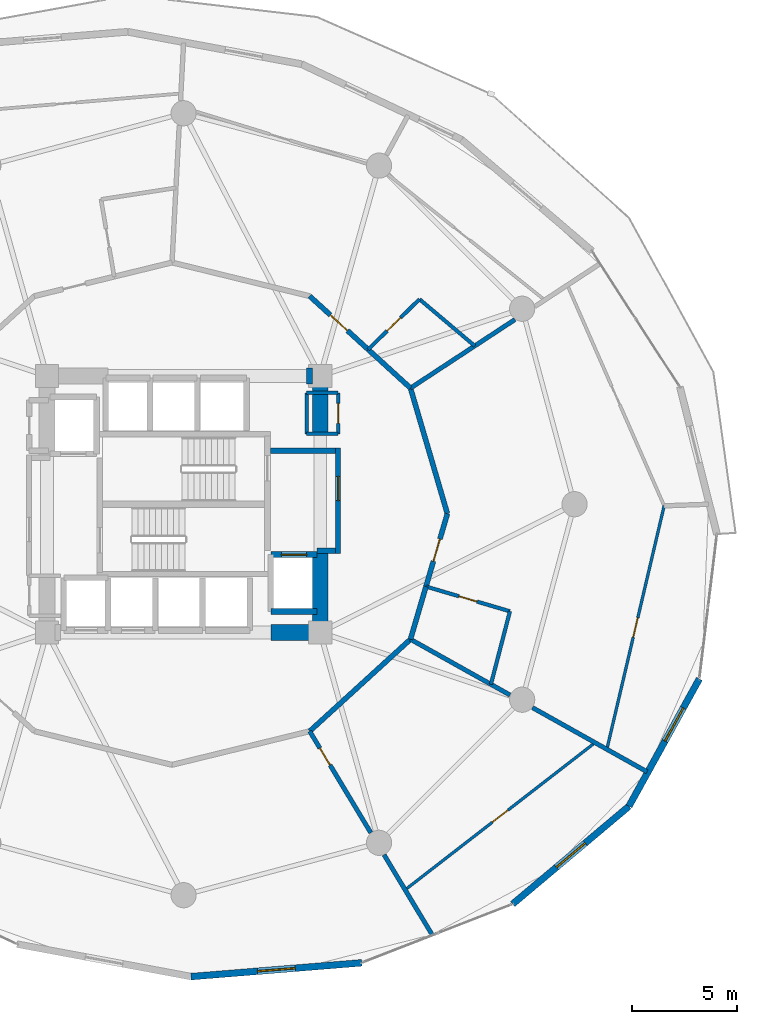
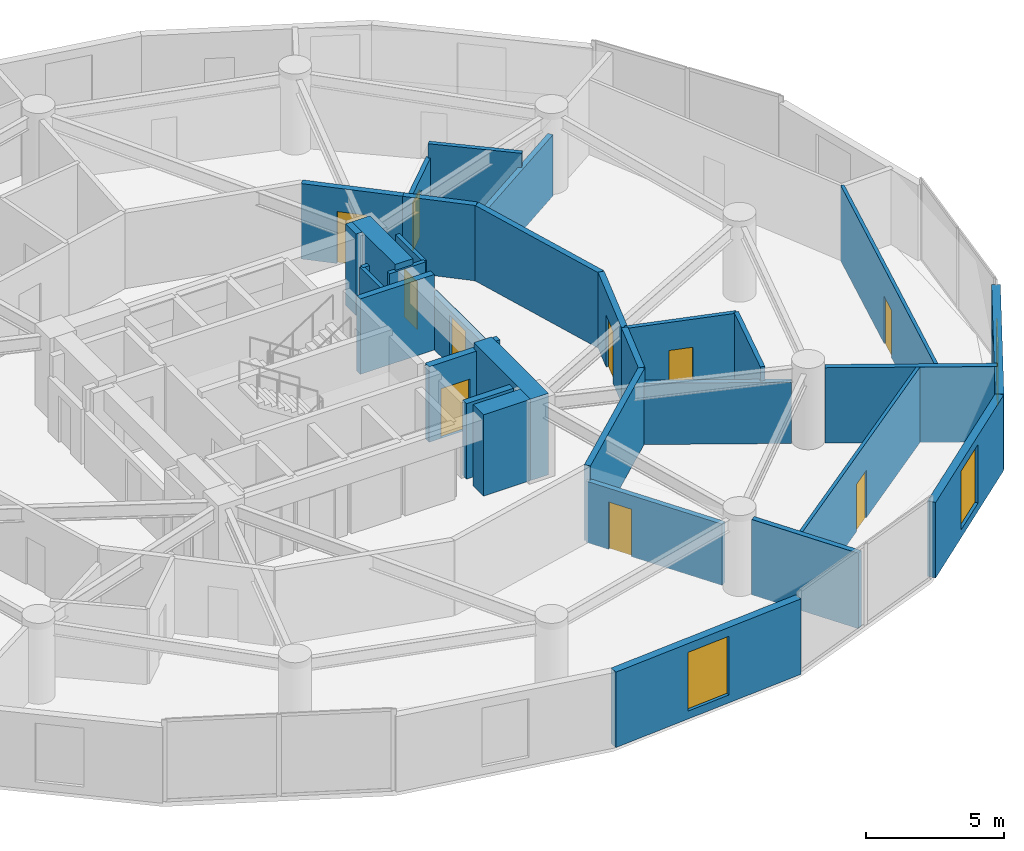
# One storey, part 22 of 26: 33 walls, 10 doors, 3 windows, 13 openings.
"""IFC4 building model written with IfcOpenShell, lengths in metres."""

import ifcopenshell
import ifcopenshell.guid

model = None  # the IFC model being written
_history = None  # IfcOwnerHistory: only IFC2X3 demands one
_inside = {}  # id of a spatial element -> (the spatial element, [elements in it])
_under = {}  # id of a project, library or spatial element -> (it, [spatial elements below it])
_declared = {}  # id of a project -> (the project, [libraries it declares])
_typed = {}  # id of a type object -> (the type object, [elements of that type])
_made_of = {}  # id of a material, layer set ... -> (it, [elements and type objects made of it])


def new_model(schema):
    """Start an empty IFC model of exactly this schema.

    Asked for "IFC4X3", IfcOpenShell would pick the latest addendum, in which some entities
    have other attributes; the version numbers below select the first issue.
    IFC2X3 requires an IfcOwnerHistory on every rooted entity: one is made here for all.
    """
    global model, _history
    if schema == "IFC4X3":
        model = ifcopenshell.file(schema_version=(4, 3, 0, 0))
    else:
        model = ifcopenshell.file(schema=schema)
    _inside.clear()
    _under.clear()
    _declared.clear()
    _typed.clear()
    _made_of.clear()
    _history = None
    if model.schema == "IFC2X3":
        org = make("IfcOrganization", Name="unknown")
        user = make(
            "IfcPersonAndOrganization",
            ThePerson=make("IfcPerson", FamilyName="unknown"),
            TheOrganization=org,
        )
        app = make(
            "IfcApplication",
            ApplicationDeveloper=org,
            Version="unknown",
            ApplicationFullName="unknown",
            ApplicationIdentifier="unknown",
        )
        _history = make(
            "IfcOwnerHistory",
            OwningUser=user,
            OwningApplication=app,
            ChangeAction="ADDED",
            CreationDate=0,
        )
    return model


def make(cls, **values):
    """One entity of the class cls with the attributes given. An attribute that is None is left unset."""
    return model.create_entity(
        cls, **{name: value for name, value in values.items() if value is not None}
    )


def rooted(cls, **values):
    """An entity with a GlobalId (a new one), such as an element, a storey or a relation."""
    return make(cls, GlobalId=ifcopenshell.guid.new(), OwnerHistory=_history, **values)


def si_unit(unit_type, name, prefix=None):
    """IfcSIUnit, for example si_unit("LENGTHUNIT", "METRE", prefix="MILLI")."""
    return make("IfcSIUnit", UnitType=unit_type, Prefix=prefix, Name=name)


def assignment(units):
    """IfcUnitAssignment: the units of a project."""
    return None if units is None else make("IfcUnitAssignment", Units=units)


def point(xyz):
    """IfcCartesianPoint."""
    return None if xyz is None else make("IfcCartesianPoint", Coordinates=xyz)


def direction(xyz):
    """IfcDirection."""
    return None if xyz is None else make("IfcDirection", DirectionRatios=xyz)


def frame(location, z_axis=None, x_axis=None):
    """IfcAxis2Placement3D, a coordinate frame: its origin and axes. An axis left out is left unset."""
    return make(
        "IfcAxis2Placement3D",
        Location=point(location),
        Axis=direction(z_axis),
        RefDirection=direction(x_axis),
    )


def frame_2d(location, x_axis=None):
    """IfcAxis2Placement2D, a coordinate frame in the plane: its origin and x axis."""
    return make(
        "IfcAxis2Placement2D", Location=point(location), RefDirection=direction(x_axis)
    )


def origin():
    """The frame at (0, 0, 0) with its axes left unset."""
    return frame((0.0, 0.0, 0.0))


def place(relative_to, where):
    """IfcLocalPlacement: puts the frame where relative to a parent placement (None: the world)."""
    return make(
        "IfcLocalPlacement", PlacementRelTo=relative_to, RelativePlacement=where
    )


def context(
    kind, dimensions, precision=None, world=None, true_north=None, identifier=None
):
    """IfcGeometricRepresentationContext, for example the 3D "Model" context."""
    return make(
        "IfcGeometricRepresentationContext",
        ContextIdentifier=identifier,
        ContextType=kind,
        CoordinateSpaceDimension=dimensions,
        Precision=precision,
        WorldCoordinateSystem=world,
        TrueNorth=true_north,
    )


def subcontext(parent, identifier, kind, view, scale=None):
    """IfcGeometricRepresentationSubContext, for example "Body" below "Model"."""
    return make(
        "IfcGeometricRepresentationSubContext",
        ContextIdentifier=identifier,
        ContextType=kind,
        ParentContext=parent,
        TargetScale=scale,
        TargetView=view,
    )


def project(units=None, contexts=None):
    """IfcProject with its units and contexts."""
    return rooted(
        "IfcProject",
        Name="project",
        RepresentationContexts=contexts,
        UnitsInContext=assignment(units),
    )


def spatial(cls, under=None, at=None, **own):
    """A site, building, storey or space (cls), placed at a placement, below another one or the project."""
    s = rooted(cls, ObjectPlacement=at, **own)
    if under is not None:
        _under.setdefault(under.id(), (under, []))[1].append(s)
    return s


def profile(cls, at=None, kind="AREA", **sizes):
    """A parametric profile (cls). Its sizes go by their IFC names, for example OverallWidth=200.0."""
    return make(cls, ProfileType=kind, Position=at, **sizes)


def rectangle(**sizes):
    """IfcRectangleProfileDef."""
    return profile("IfcRectangleProfileDef", **sizes)


def extrude(swept, where, along, depth):
    """IfcExtrudedAreaSolid: the profile swept, set in the frame where, extruded along a direction by depth."""
    return make(
        "IfcExtrudedAreaSolid",
        SweptArea=swept,
        Position=where,
        ExtrudedDirection=direction(along),
        Depth=depth,
    )


def shape(context_of_items, identifier, shape_type, items):
    """IfcShapeRepresentation: the items that make up one representation, for example the "Body"."""
    return make(
        "IfcShapeRepresentation",
        ContextOfItems=context_of_items,
        RepresentationIdentifier=identifier,
        RepresentationType=shape_type,
        Items=items,
    )


def material(Name=None, Category=None):
    """IfcMaterial."""
    return make("IfcMaterial", Name=Name, Category=Category)


def layer(
    of_material, thickness, ventilated=None, Name=None, Category=None, Priority=None
):
    """IfcMaterialLayer: one layer of a wall or slab, of a material (None: an air gap)."""
    return make(
        "IfcMaterialLayer",
        Material=of_material,
        LayerThickness=thickness,
        IsVentilated=ventilated,
        Name=Name,
        Category=Category,
        Priority=Priority,
    )


def layer_set(layers, Name=None):
    """IfcMaterialLayerSet."""
    return make("IfcMaterialLayerSet", MaterialLayers=layers, LayerSetName=Name)


def made_of(thing, what):
    """Note that an element or type object is made of a material, layer set ...; save() writes the relation."""
    if what is not None:
        _made_of.setdefault(what.id(), (what, []))[1].append(thing)
    return thing


def type_object(cls, material=None, **own):
    """A type object (cls), such as IfcWallType, which elements share."""
    return made_of(rooted(cls, **own), material)


def element(
    cls,
    number,
    at=None,
    inside=None,
    cuts=None,
    type_object=None,
    material=None,
    context=None,
    identifier="Body",
    shape_type=None,
    held_by="IfcProductDefinitionShape",
    body=None,
    shapes=None,
    **own,
):
    """One element of the class cls, such as IfcWall. Its Tag is "e" and its number.

    at: its placement. inside: the storey or other place that contains it. cuts: it is an
    opening in that element (IfcRelVoidsElement). A single representation is given by context,
    identifier, shape_type and body (its items); several are given by shapes. held_by: the class
    of the entity that holds the representations. save() writes the other relations.
    """
    e = rooted(cls, Tag="e%d" % number, ObjectPlacement=at, **own)
    if body is not None:
        shapes = [shape(context, identifier, shape_type, body)]
    if shapes is not None:
        e.Representation = make(held_by, Representations=shapes)
    if inside is not None:
        _inside.setdefault(inside.id(), (inside, []))[1].append(e)
    if cuts is not None:
        rooted(
            "IfcRelVoidsElement", RelatingBuildingElement=cuts, RelatedOpeningElement=e
        )
    if type_object is not None:
        _typed.setdefault(type_object.id(), (type_object, []))[1].append(e)
    return made_of(e, material)


def fill(opening, filler):
    """IfcRelFillsElement: the door or window that sits in an opening."""
    return rooted(
        "IfcRelFillsElement",
        RelatingOpeningElement=opening,
        RelatedBuildingElement=filler,
    )


def aggregate(whole, parts):
    """IfcRelAggregates: a whole, such as a stair, and the parts it consists of."""
    return rooted("IfcRelAggregates", RelatingObject=whole, RelatedObjects=parts)


def save(model, path):
    """Write the relations noted so far, then the file.

    IfcRelAggregates (storeys below a building ...), IfcRelContainedInSpatialStructure (elements
    in a storey), IfcRelDefinesByType, IfcRelAssociatesMaterial and IfcRelDeclares: one each for
    every whole, place, type object, material and project.
    """
    for whole, parts in _under.values():
        aggregate(whole, parts)
    for where, things in _inside.values():
        rooted(
            "IfcRelContainedInSpatialStructure",
            RelatedElements=things,
            RelatingStructure=where,
        )
    for kind, things in _typed.values():
        rooted("IfcRelDefinesByType", RelatedObjects=things, RelatingType=kind)
    for what, things in _made_of.values():
        rooted("IfcRelAssociatesMaterial", RelatedObjects=things, RelatingMaterial=what)
    for by, libraries in _declared.values():
        rooted("IfcRelDeclares", RelatingContext=by, RelatedDefinitions=libraries)
    model.write(path)


model = new_model("IFC4")

# Units and contexts
model_context = context("Model", 3, precision=1e-05, world=origin(), true_north=direction((0.0, 1.0)))
body_context = subcontext(model_context, "Body", "Model", "MODEL_VIEW")
ifc_project = project(units=[si_unit("LENGTHUNIT", "METRE"), si_unit("AREAUNIT", "SQUARE_METRE"), si_unit("VOLUMEUNIT", "CUBIC_METRE"), si_unit("PLANEANGLEUNIT", "RADIAN"), si_unit("MASSUNIT", "GRAM", prefix="KILO")], contexts=[model_context])

# Site, building, storey
site_placement = place(None, origin())
site = spatial("IfcSite", under=ifc_project, at=site_placement, CompositionType="ELEMENT")
building_placement = place(site_placement, origin())
building = spatial("IfcBuilding", under=site, at=building_placement, Name="Solvirekh Grand Hotel", CompositionType="ELEMENT")
storey_placement = place(building_placement, frame((0.0, 0.0, 68.0)))
storey = spatial("IfcBuildingStorey", under=building, at=storey_placement, Name="L16", CompositionType="ELEMENT", Elevation=68.0)

# Wall
ifc_material_1 = material(Name="Concrete C40/50", Category="concrete")
ifc_layer_1 = layer(ifc_material_1, 0.280029296875)
ifc_layer_set_1 = layer_set([ifc_layer_1], Name="Concrete C40/50")
wall_type_1 = type_object("IfcWallType", Name="CoreShaftWall_RC280", PredefinedType="SOLIDWALL", material=ifc_layer_set_1)
wall_1_placement = place(storey_placement, frame((4.14990234375, -5.10009765625, 0.0), z_axis=(0.0, 0.0, 1.0), x_axis=(1.0, 0.0, 0.0)))
element("IfcWall", 1, at=wall_1_placement, inside=storey, type_object=wall_type_1, Name="L16 FL-2 hoistway S wall", PredefinedType="SOLIDWALL", context=body_context, shape_type="SweptSolid", body=[
    extrude(rectangle(XDim=2.2001953125, YDim=0.280029296875, at=frame_2d((1.10009765625, 0.0))), origin(), (0.0, 0.0, 1.0), 3.340087890625),
])

# Wall, opening, door
wall_2_placement = place(storey_placement, frame((6.35009765625, -2.39990234375, 0.0), z_axis=(0.0, 0.0, 1.0), x_axis=(-1.0, 0.0, 0.0)))
wall_2 = element("IfcWall", 2, at=wall_2_placement, inside=storey, type_object=wall_type_1, Name="L16 FL-2 hoistway N wall", PredefinedType="SOLIDWALL", context=body_context, shape_type="SweptSolid", body=[
    extrude(rectangle(XDim=2.2001953125, YDim=0.280029296875, at=frame_2d((1.10009765625, 0.0))), origin(), (0.0, 0.0, 1.0), 3.340087890625),
])
opening_1_placement = place(wall_2_placement, frame((0.5, 0.0, 0.0)))
opening_1 = element("IfcOpeningElement", 3, at=opening_1_placement, cuts=wall_2, Name="Opening LD02", PredefinedType="OPENING", context=body_context, shape_type="SweptSolid", body=[
    extrude(rectangle(XDim=1.199951171875, YDim=2.199951171875, at=frame_2d((0.60009765625, 1.10009765625))), frame((0.0, 0.14990234375, 0.0), z_axis=(0.0, -1.0, 0.0), x_axis=(1.0, 0.0, 0.0)), (0.0, 0.0, 1.0), 0.300048828125),
])
ifc_material_2 = material(Name="Fire-Rated Steel Door Assembly", Category="steel")
door_type_1 = type_object("IfcDoorType", Name="Door_LiftFF_1200X2200", OperationType="SLIDING_TO_LEFT", PredefinedType="DOOR", material=ifc_material_2)
door_1_placement = place(opening_1_placement, origin())
door_1 = element("IfcDoor", 4, at=door_1_placement, inside=storey, type_object=door_type_1, Name="L16 FL-2 sliding lift landing door", OperationType="SLIDING_TO_LEFT", OverallHeight=2.199951171875, OverallWidth=1.199951171875, PredefinedType="DOOR", context=body_context, shape_type="SweptSolid", body=[
    extrude(rectangle(XDim=1.199951171875, YDim=2.199951171875, at=frame_2d((0.60009765625, 1.10009765625))), frame((0.0, 0.02490234375, 0.0), z_axis=(0.0, -1.0, 0.0), x_axis=(1.0, 0.0, 0.0)), (0.0, 0.0, 1.0), 0.050048828125),
])
fill(opening_1, door_1)

# Walls
ifc_material_3 = material(Name="Concrete C60/75", Category="concrete")
ifc_layer_2 = layer(ifc_material_3, 0.75)
ifc_layer_set_2 = layer_set([ifc_layer_2], Name="Concrete C60/75")
wall_type_2 = type_object("IfcWallType", Name="CoreWall_RC750", PredefinedType="SHEAR", material=ifc_layer_set_2)
wall_3_placement = place(storey_placement, frame((4.14990234375, -6.10009765625, 0.0), z_axis=(0.0, 0.0, 1.0), x_axis=(1.0, 0.0, 0.0)))
element("IfcWall", 5, at=wall_3_placement, inside=storey, type_object=wall_type_2, Name="L16 core corner shear wall SE-S", PredefinedType="SHEAR", context=body_context, shape_type="SweptSolid", body=[
    extrude(rectangle(XDim=1.97509765625, YDim=0.75, at=frame_2d((0.987548828125, 0.0))), origin(), (0.0, 0.0, 1.0), 3.60009765625),
])
wall_4_placement = place(storey_placement, frame((5.85009765625, 6.10009765625, 0.0), z_axis=(0.0, 0.0, 1.0), x_axis=(1.0, 0.0, 0.0)))
element("IfcWall", 6, at=wall_4_placement, inside=storey, type_object=wall_type_2, Name="L16 core corner shear wall NE-N", PredefinedType="SHEAR", context=body_context, shape_type="SweptSolid", body=[
    extrude(rectangle(XDim=0.27490234375, YDim=0.75, at=frame_2d((0.137451171875, 0.0))), origin(), (0.0, 0.0, 1.0), 3.60009765625),
])
wall_5_placement = place(storey_placement, frame((6.5, -6.47509765625, 0.0), z_axis=(0.0, 0.0, 1.0), x_axis=(0.0, 1.0, 0.0)))
element("IfcWall", 7, at=wall_5_placement, inside=storey, type_object=wall_type_2, Name="L16 core corner shear wall ES-E", PredefinedType="SHEAR", context=body_context, shape_type="SweptSolid", body=[
    extrude(rectangle(XDim=4.125, YDim=0.75, at=frame_2d((2.0625, 0.0))), origin(), (0.0, 0.0, 1.0), 3.60009765625),
])
wall_6_placement = place(storey_placement, frame((6.5, 3.35009765625, 0.0), z_axis=(0.0, 0.0, 1.0), x_axis=(0.0, 1.0, 0.0)))
element("IfcWall", 8, at=wall_6_placement, inside=storey, type_object=wall_type_2, Name="L16 core corner shear wall EN-E", PredefinedType="SHEAR", context=body_context, shape_type="SweptSolid", body=[
    extrude(rectangle(XDim=3.125, YDim=0.75, at=frame_2d((1.5625, 0.0))), origin(), (0.0, 0.0, 1.0), 3.60009765625),
])

# Wall, opening, window
ifc_material_4 = material(Name="Precast concrete C45/55", Category="concrete")
ifc_layer_3 = layer(ifc_material_4, 0.320068359375)
ifc_layer_set_3 = layer_set([ifc_layer_3], Name="Precast concrete C45/55")
wall_type_3 = type_object("IfcWallType", Name="ExtLobbyWall_RC320", PredefinedType="SOLIDWALL", material=ifc_layer_set_3)
wall_7_placement = place(storey_placement, frame((8.47412109375, -21.818115234375, 0.0), z_axis=(0.0, 0.0, 1.0), x_axis=(-0.996745267641, -0.08061557812, 0.0)))
wall_7 = element("IfcWall", 9, at=wall_7_placement, inside=storey, type_object=wall_type_3, Name="L16 exterior structural wall chord 17", PredefinedType="SOLIDWALL", context=body_context, shape_type="SweptSolid", body=[
    extrude(rectangle(XDim=8.149658203125, YDim=0.320068359375, at=frame_2d((4.07470703125, 0.0))), origin(), (0.0, 0.0, 1.0), 3.340087890625),
])
opening_2_placement = place(wall_7_placement, frame((3.175048828125, 0.0, 0.35009765625)))
opening_2 = element("IfcOpeningElement", 10, at=opening_2_placement, cuts=wall_7, Name="Opening W02", PredefinedType="OPENING", context=body_context, shape_type="SweptSolid", body=[
    extrude(rectangle(XDim=1.800048828125, YDim=2.60009765625, at=frame_2d((0.89990234375, 1.300048828125))), frame((0.0, 0.169921875, 0.0), z_axis=(0.0, -1.0, 0.0), x_axis=(1.0, 0.0, 0.0)), (0.0, 0.0, 1.0), 0.340087890625),
])
ifc_material_5 = material(Name="Low-E Tinted Bronze Laminated Glass", Category="aluminium")
window_type = type_object("IfcWindowType", Name="Win_LobbyExt_1800X2600", PartitioningType="SINGLE_PANEL", PredefinedType="WINDOW", material=ifc_material_5)
window_1_placement = place(opening_2_placement, origin())
window_1 = element("IfcWindow", 11, at=window_1_placement, inside=storey, type_object=window_type, Name="L16 panoramic bronze-framed window 17", OverallHeight=2.60009765625, OverallWidth=1.800048828125, PartitioningType="SINGLE_PANEL", PredefinedType="WINDOW", context=body_context, shape_type="SweptSolid", body=[
    extrude(rectangle(XDim=1.800048828125, YDim=2.60009765625, at=frame_2d((0.89990234375, 1.300048828125))), frame((0.0, 0.030029296875, 0.0), z_axis=(0.0, -1.0, 0.0), x_axis=(1.0, 0.0, 0.0)), (0.0, 0.0, 1.0), 0.06005859375),
])
fill(opening_2, window_1)

wall_8_placement = place(storey_placement, frame((21.19091796875, -14.3701171875, 0.0), z_axis=(0.0, 0.0, 1.0), x_axis=(-0.765388915414, -0.643568029164, 0.0)))
wall_8 = element("IfcWall", 12, at=wall_8_placement, inside=storey, type_object=wall_type_3, Name="L16 exterior structural wall chord 19", PredefinedType="SOLIDWALL", context=body_context, shape_type="SweptSolid", body=[
    extrude(rectangle(XDim=7.232666015625, YDim=0.320068359375, at=frame_2d((3.6162109375, 0.0))), origin(), (0.0, 0.0, 1.0), 3.340087890625),
])
opening_3_placement = place(wall_8_placement, frame((2.717041015625, 0.0, 0.35009765625)))
opening_3 = element("IfcOpeningElement", 13, at=opening_3_placement, cuts=wall_8, Name="Opening W02", PredefinedType="OPENING", context=body_context, shape_type="SweptSolid", body=[
    extrude(rectangle(XDim=1.800048828125, YDim=2.60009765625, at=frame_2d((0.89990234375, 1.300048828125))), frame((0.0, 0.169921875, 0.0), z_axis=(0.0, -1.0, 0.0), x_axis=(1.0, 0.0, 0.0)), (0.0, 0.0, 1.0), 0.340087890625),
])
window_2_placement = place(opening_3_placement, origin())
window_2 = element("IfcWindow", 14, at=window_2_placement, inside=storey, type_object=window_type, Name="L16 panoramic bronze-framed window 19", OverallHeight=2.60009765625, OverallWidth=1.800048828125, PartitioningType="SINGLE_PANEL", PredefinedType="WINDOW", context=body_context, shape_type="SweptSolid", body=[
    extrude(rectangle(XDim=1.800048828125, YDim=2.60009765625, at=frame_2d((0.89990234375, 1.300048828125))), frame((0.0, 0.030029296875, 0.0), z_axis=(0.0, -1.0, 0.0), x_axis=(1.0, 0.0, 0.0)), (0.0, 0.0, 1.0), 0.06005859375),
])
fill(opening_3, window_2)

wall_9_placement = place(storey_placement, frame((24.5400390625, -8.30810546875, 0.0), z_axis=(0.0, 0.0, 1.0), x_axis=(-0.483582354317, -0.875298867013, 0.0)))
wall_9 = element("IfcWall", 15, at=wall_9_placement, inside=storey, type_object=wall_type_3, Name="L16 exterior structural wall chord 20", PredefinedType="SOLIDWALL", context=body_context, shape_type="SweptSolid", body=[
    extrude(rectangle(XDim=6.925537109375, YDim=0.320068359375, at=frame_2d((3.462890625, 0.0))), origin(), (0.0, 0.0, 1.0), 3.340087890625),
])
opening_4_placement = place(wall_9_placement, frame((1.587890625, 0.0, 0.35009765625)))
opening_4 = element("IfcOpeningElement", 16, at=opening_4_placement, cuts=wall_9, Name="Opening W02", PredefinedType="OPENING", context=body_context, shape_type="SweptSolid", body=[
    extrude(rectangle(XDim=1.800048828125, YDim=2.60009765625, at=frame_2d((0.89990234375, 1.300048828125))), frame((0.0, 0.169921875, 0.0), z_axis=(0.0, -1.0, 0.0), x_axis=(1.0, 0.0, 0.0)), (0.0, 0.0, 1.0), 0.340087890625),
])
window_3_placement = place(opening_4_placement, origin())
window_3 = element("IfcWindow", 17, at=window_3_placement, inside=storey, type_object=window_type, Name="L16 panoramic bronze-framed window 20", OverallHeight=2.60009765625, OverallWidth=1.800048828125, PartitioningType="SINGLE_PANEL", PredefinedType="WINDOW", context=body_context, shape_type="SweptSolid", body=[
    extrude(rectangle(XDim=1.800048828125, YDim=2.60009765625, at=frame_2d((0.89990234375, 1.300048828125))), frame((0.0, 0.030029296875, 0.0), z_axis=(0.0, -1.0, 0.0), x_axis=(1.0, 0.0, 0.0)), (0.0, 0.0, 1.0), 0.06005859375),
])
fill(opening_4, window_3)

# Wall
ifc_material_6 = material(Name="Acoustic Gypsum Partition Assembly")
ifc_layer_4 = layer(ifc_material_6, 0.1650390625)
ifc_layer_set_4 = layer_set([ifc_layer_4], Name="Acoustic Gypsum Partition Assembly")
wall_type_4 = type_object("IfcWallType", Name="Part_BOH_165", PredefinedType="PARTITIONING", material=ifc_layer_set_4)
wall_10_placement = place(storey_placement, frame((5.85009765625, 3.35009765625, 0.0), z_axis=(0.0, 0.0, 1.0), x_axis=(1.0, 0.0, 0.0)))
element("IfcWall", 18, at=wall_10_placement, inside=storey, type_object=wall_type_4, Name="L16 L16 Core Housekeeping Room wall 1", PredefinedType="PARTITIONING", context=body_context, shape_type="SweptSolid", body=[
    extrude(rectangle(XDim=1.5, YDim=0.1650390625, at=frame_2d((0.75, 0.0))), origin(), (0.0, 0.0, 1.0), 3.340087890625),
])

# Wall, opening, door
wall_11_placement = place(storey_placement, frame((7.35009765625, 3.35009765625, 0.0), z_axis=(0.0, 0.0, 1.0), x_axis=(0.0, 1.0, 0.0)))
wall_11 = element("IfcWall", 19, at=wall_11_placement, inside=storey, type_object=wall_type_4, Name="L16 L16 Core Housekeeping Room wall 2", PredefinedType="PARTITIONING", context=body_context, shape_type="SweptSolid", body=[
    extrude(rectangle(XDim=1.949951171875, YDim=0.1650390625, at=frame_2d((0.97509765625, 0.0))), origin(), (0.0, 0.0, 1.0), 3.340087890625),
])
opening_5_placement = place(wall_11_placement, frame((0.5, 0.0, 0.0)))
opening_5 = element("IfcOpeningElement", 20, at=opening_5_placement, cuts=wall_11, Name="Opening D10", PredefinedType="OPENING", context=body_context, shape_type="SweptSolid", body=[
    extrude(rectangle(XDim=0.949951171875, YDim=2.10009765625, at=frame_2d((0.47509765625, 1.050048828125))), frame((0.0, 0.092529296875, 0.0), z_axis=(0.0, -1.0, 0.0), x_axis=(1.0, 0.0, 0.0)), (0.0, 0.0, 1.0), 0.18505859375),
])
ifc_material_7 = material(Name="Anodized Bronze Aluminium 6063-T6", Category="aluminium")
door_type_2 = type_object("IfcDoorType", Name="Door_RoomInt_950X2100", OperationType="NOTDEFINED", PredefinedType="DOOR", material=ifc_material_7)
door_2_placement = place(opening_5_placement, origin())
door_2 = element("IfcDoor", 21, at=door_2_placement, inside=storey, type_object=door_type_2, Name="L16 L16 Core Housekeeping Room door", OperationType="SINGLE_SWING_RIGHT", OverallHeight=2.10009765625, OverallWidth=0.949951171875, PredefinedType="DOOR", context=body_context, shape_type="SweptSolid", body=[
    extrude(rectangle(XDim=0.949951171875, YDim=2.10009765625, at=frame_2d((0.47509765625, 1.050048828125))), frame((0.0, 0.02490234375, 0.0), z_axis=(0.0, -1.0, 0.0), x_axis=(1.0, 0.0, 0.0)), (0.0, 0.0, 1.0), 0.050048828125),
])
fill(opening_5, door_2)

# Walls
wall_12_placement = place(storey_placement, frame((7.35009765625, 5.300048828125, 0.0), z_axis=(0.0, 0.0, 1.0), x_axis=(-1.0, 0.0, 0.0)))
element("IfcWall", 22, at=wall_12_placement, inside=storey, type_object=wall_type_4, Name="L16 L16 Core Housekeeping Room wall 3", PredefinedType="PARTITIONING", context=body_context, shape_type="SweptSolid", body=[
    extrude(rectangle(XDim=1.5, YDim=0.1650390625, at=frame_2d((0.75, 0.0))), origin(), (0.0, 0.0, 1.0), 2.425048828125),
])
wall_13_placement = place(storey_placement, frame((5.85009765625, 5.300048828125, 0.0), z_axis=(0.0, 0.0, 1.0), x_axis=(0.0, -1.0, 0.0)))
element("IfcWall", 23, at=wall_13_placement, inside=storey, type_object=wall_type_4, Name="L16 L16 Core Housekeeping Room wall 4", PredefinedType="PARTITIONING", context=body_context, shape_type="SweptSolid", body=[
    extrude(rectangle(XDim=1.949951171875, YDim=0.1650390625, at=frame_2d((0.97509765625, 0.0))), origin(), (0.0, 0.0, 1.0), 2.425048828125),
])

# Wall, opening, door
ifc_layer_5 = layer(ifc_material_6, 0.239990234375)
ifc_layer_set_5 = layer_set([ifc_layer_5], Name="Acoustic Gypsum Partition Assembly")
wall_type_5 = type_object("IfcWallType", Name="Part_Corridor_240", PredefinedType="PARTITIONING", material=ifc_layer_set_5)
wall_14_placement = place(storey_placement, frame((7.35009765625, -2.340087890625, 0.0), z_axis=(0.0, 0.0, 1.0), x_axis=(0.0, 1.0, 0.0)))
wall_14 = element("IfcWall", 24, at=wall_14_placement, inside=storey, type_object=wall_type_5, Name="L16 east firefighting lobby smoke screen wall", PredefinedType="PARTITIONING", context=body_context, shape_type="SweptSolid", body=[
    extrude(rectangle(XDim=5.02001953125, YDim=0.239990234375, at=frame_2d((2.510009765625, 0.0))), origin(), (0.0, 0.0, 1.0), 2.425048828125),
])
opening_6_placement = place(wall_14_placement, frame((2.514892578125, 0.0, 0.0)))
opening_6 = element("IfcOpeningElement", 25, at=opening_6_placement, cuts=wall_14, Name="Opening D06", PredefinedType="OPENING", context=body_context, shape_type="SweptSolid", body=[
    extrude(rectangle(XDim=1.14990234375, YDim=2.199951171875, at=frame_2d((0.574951171875, 1.10009765625))), frame((0.0, 0.1298828125, 0.0), z_axis=(0.0, -1.0, 0.0), x_axis=(1.0, 0.0, 0.0)), (0.0, 0.0, 1.0), 0.260009765625),
])
door_type_3 = type_object("IfcDoorType", Name="Door_FFLobby_1150X2200", OperationType="NOTDEFINED", PredefinedType="DOOR", material=ifc_material_2)
door_3_placement = place(opening_6_placement, origin())
door_3 = element("IfcDoor", 26, at=door_3_placement, inside=storey, type_object=door_type_3, Name="L16 east firefighting lobby smoke door", OperationType="SINGLE_SWING_LEFT", OverallHeight=2.199951171875, OverallWidth=1.14990234375, PredefinedType="DOOR", context=body_context, shape_type="SweptSolid", body=[
    extrude(rectangle(XDim=1.14990234375, YDim=2.199951171875, at=frame_2d((0.574951171875, 1.10009765625))), frame((0.0, 0.02490234375, 0.0), z_axis=(0.0, -1.0, 0.0), x_axis=(1.0, 0.0, 0.0)), (0.0, 0.0, 1.0), 0.050048828125),
])
fill(opening_6, door_3)

# Walls
wall_15_placement = place(storey_placement, frame((6.0, -10.799072265625, 0.0), z_axis=(0.0, 0.0, 1.0), x_axis=(0.73878836807, 0.673937495028, 0.0)))
element("IfcWall", 27, at=wall_15_placement, inside=storey, type_object=wall_type_5, Name="L16 Presidential Suite 1801 Suite Foyer corridor enclosure wall", PredefinedType="PARTITIONING", context=body_context, shape_type="SweptSolid", body=[
    extrude(rectangle(XDim=6.490234375, YDim=0.239990234375, at=frame_2d((3.2451171875, 0.0))), origin(), (0.0, 0.0, 1.0), 3.340087890625),
])
wall_16_placement = place(storey_placement, frame((10.794921875, -6.425048828125, 0.0), z_axis=(0.0, 0.0, 1.0), x_axis=(0.281852929568, 0.959457620791, 0.0)))
element("IfcWall", 28, at=wall_16_placement, inside=storey, type_object=wall_type_5, Name="L16 En-suite Bathroom 1802 corridor backing wall", PredefinedType="PARTITIONING", context=body_context, shape_type="SweptSolid", body=[
    extrude(rectangle(XDim=2.614990234375, YDim=0.239990234375, at=frame_2d((1.3076171875, 0.0))), origin(), (0.0, 0.0, 1.0), 3.340087890625),
])
wall_17_placement = place(storey_placement, frame((12.550048828125, -0.449951171875, 0.0), z_axis=(0.0, 0.0, 1.0), x_axis=(-0.281843679574, 0.959460338046, 0.0)))
element("IfcWall", 29, at=wall_17_placement, inside=storey, type_object=wall_type_5, Name="L16 Executive Suite 1802 Living Room corridor wall 1", PredefinedType="PARTITIONING", context=body_context, shape_type="SweptSolid", body=[
    extrude(rectangle(XDim=6.227294921875, YDim=0.239990234375, at=frame_2d((3.11376953125, 0.0))), origin(), (0.0, 0.0, 1.0), 3.340087890625),
])

# Wall, opening, door
wall_18_placement = place(storey_placement, frame((11.531982421875, -3.916015625, 0.0), z_axis=(0.0, 0.0, 1.0), x_axis=(0.281818707972, 0.959467673159, 0.0)))
wall_18 = element("IfcWall", 30, at=wall_18_placement, inside=storey, type_object=wall_type_5, Name="L16 Executive Suite 1802 Living Room entrance wall", PredefinedType="PARTITIONING", context=body_context, shape_type="SweptSolid", body=[
    extrude(rectangle(XDim=3.612548828125, YDim=0.239990234375, at=frame_2d((1.80615234375, 0.0))), origin(), (0.0, 0.0, 1.0), 3.340087890625),
])
opening_7_placement = place(wall_18_placement, frame((1.256103515625, 0.0, 0.0)))
opening_7 = element("IfcOpeningElement", 31, at=opening_7_placement, cuts=wall_18, Name="Opening D08", PredefinedType="OPENING", context=body_context, shape_type="SweptSolid", body=[
    extrude(rectangle(XDim=1.10009765625, YDim=2.300048828125, at=frame_2d((0.550048828125, 1.14990234375))), frame((0.0, 0.1298828125, 0.0), z_axis=(0.0, -1.0, 0.0), x_axis=(1.0, 0.0, 0.0)), (0.0, 0.0, 1.0), 0.260009765625),
])
door_type_4 = type_object("IfcDoorType", Name="Door_SuiteEntry_1100X2300", OperationType="NOTDEFINED", PredefinedType="DOOR", material=ifc_material_2)
door_4_placement = place(opening_7_placement, origin())
door_4 = element("IfcDoor", 32, at=door_4_placement, inside=storey, type_object=door_type_4, Name="L16 Executive Suite 1802 Living Room entrance door", OperationType="SINGLE_SWING_RIGHT", OverallHeight=2.300048828125, OverallWidth=1.10009765625, PredefinedType="DOOR", context=body_context, shape_type="SweptSolid", body=[
    extrude(rectangle(XDim=1.10009765625, YDim=2.300048828125, at=frame_2d((0.550048828125, 1.14990234375))), frame((0.0, 0.02490234375, 0.0), z_axis=(0.0, -1.0, 0.0), x_axis=(1.0, 0.0, 0.0)), (0.0, 0.0, 1.0), 0.050048828125),
])
fill(opening_7, door_4)

# Wall
wall_19_placement = place(storey_placement, frame((10.794921875, 5.52490234375, 0.0), z_axis=(0.0, 0.0, 1.0), x_axis=(-0.738784017848, 0.673942263827, 0.0)))
element("IfcWall", 33, at=wall_19_placement, inside=storey, type_object=wall_type_5, Name="L16 En-suite Bathroom 1803 corridor backing wall", PredefinedType="PARTITIONING", context=body_context, shape_type="SweptSolid", body=[
    extrude(rectangle(XDim=2.72607421875, YDim=0.239990234375, at=frame_2d((1.363037109375, 0.0))), origin(), (0.0, 0.0, 1.0), 3.340087890625),
])

# Wall, opening, door
wall_20_placement = place(storey_placement, frame((8.781005859375, 7.362060546875, 0.0), z_axis=(0.0, 0.0, 1.0), x_axis=(-0.738791518375, 0.673934041562, 0.0)))
wall_20 = element("IfcWall", 34, at=wall_20_placement, inside=storey, type_object=wall_type_5, Name="L16 Executive Suite 1803 Living Room entrance wall", PredefinedType="PARTITIONING", context=body_context, shape_type="SweptSolid", body=[
    extrude(rectangle(XDim=3.76416015625, YDim=0.239990234375, at=frame_2d((1.882080078125, 0.0))), origin(), (0.0, 0.0, 1.0), 3.340087890625),
])
opening_8_placement = place(wall_20_placement, frame((1.33203125, 0.0, 0.0)))
opening_8 = element("IfcOpeningElement", 35, at=opening_8_placement, cuts=wall_20, Name="Opening D08", PredefinedType="OPENING", context=body_context, shape_type="SweptSolid", body=[
    extrude(rectangle(XDim=1.10009765625, YDim=2.300048828125, at=frame_2d((0.550048828125, 1.14990234375))), frame((0.0, 0.1298828125, 0.0), z_axis=(0.0, -1.0, 0.0), x_axis=(1.0, 0.0, 0.0)), (0.0, 0.0, 1.0), 0.260009765625),
])
door_5_placement = place(opening_8_placement, origin())
door_5 = element("IfcDoor", 36, at=door_5_placement, inside=storey, type_object=door_type_4, Name="L16 Executive Suite 1803 Living Room entrance door", OperationType="SINGLE_SWING_RIGHT", OverallHeight=2.300048828125, OverallWidth=1.10009765625, PredefinedType="DOOR", context=body_context, shape_type="SweptSolid", body=[
    extrude(rectangle(XDim=1.10009765625, YDim=2.300048828125, at=frame_2d((0.550048828125, 1.14990234375))), frame((0.0, 0.02490234375, 0.0), z_axis=(0.0, -1.0, 0.0), x_axis=(1.0, 0.0, 0.0)), (0.0, 0.0, 1.0), 0.050048828125),
])
fill(opening_8, door_5)

# Walls
ifc_layer_6 = layer(ifc_material_6, 0.260009765625)
ifc_layer_set_6 = layer_set([ifc_layer_6], Name="Acoustic Gypsum Partition Assembly")
wall_type_6 = type_object("IfcWallType", Name="Part_LobbyFF_260", PredefinedType="PARTITIONING", material=ifc_layer_set_6)
wall_21_placement = place(storey_placement, frame((6.35009765625, -2.2099609375, 0.0), z_axis=(0.0, 0.0, 1.0), x_axis=(1.0, 0.0, 0.0)))
element("IfcWall", 37, at=wall_21_placement, inside=storey, type_object=wall_type_6, Name="L16 east firefighting lobby SE cheek", PredefinedType="PARTITIONING", context=body_context, shape_type="SweptSolid", body=[
    extrude(rectangle(XDim=0.875, YDim=0.260009765625, at=frame_2d((0.4375, 0.0))), origin(), (0.0, 0.0, 1.0), 3.340087890625),
])
wall_22_placement = place(storey_placement, frame((4.1298828125, 2.550048828125, 0.0), z_axis=(0.0, 0.0, 1.0), x_axis=(1.0, 0.0, 0.0)))
element("IfcWall", 38, at=wall_22_placement, inside=storey, type_object=wall_type_6, Name="L16 east firefighting lobby north partition", PredefinedType="PARTITIONING", context=body_context, shape_type="SweptSolid", body=[
    extrude(rectangle(XDim=3.09521484375, YDim=0.260009765625, at=frame_2d((1.547607421875, 0.0))), origin(), (0.0, 0.0, 1.0), 3.340087890625),
])

# Wall, opening, door
ifc_layer_7 = layer(ifc_material_6, 0.135009765625)
ifc_layer_set_7 = layer_set([ifc_layer_7], Name="Acoustic Gypsum Partition Assembly")
wall_type_7 = type_object("IfcWallType", Name="Part_RoomInt_135", PredefinedType="PARTITIONING", material=ifc_layer_set_7)
wall_23_placement = place(storey_placement, frame((10.5400390625, -18.345947265625, 0.0), z_axis=(0.0, 0.0, 1.0), x_axis=(0.790419447316, 0.612565994245, 0.0)))
wall_23 = element("IfcWall", 39, at=wall_23_placement, inside=storey, type_object=wall_type_7, Name="L16 Presidential Suite 1801 Suite Foyer bedroom screen wall", PredefinedType="PARTITIONING", context=body_context, shape_type="SweptSolid", body=[
    extrude(rectangle(XDim=11.430419921875, YDim=0.135009765625, at=frame_2d((5.71533203125, 0.0))), origin(), (0.0, 0.0, 1.0), 3.340087890625),
])
opening_9_placement = place(wall_23_placement, frame((5.239990234375, 0.0, 0.0)))
opening_9 = element("IfcOpeningElement", 40, at=opening_9_placement, cuts=wall_23, Name="Opening D10", PredefinedType="OPENING", context=body_context, shape_type="SweptSolid", body=[
    extrude(rectangle(XDim=0.949951171875, YDim=2.10009765625, at=frame_2d((0.47509765625, 1.050048828125))), frame((0.0, 0.07763671875, 0.0), z_axis=(0.0, -1.0, 0.0), x_axis=(1.0, 0.0, 0.0)), (0.0, 0.0, 1.0), 0.155029296875),
])
door_6_placement = place(opening_9_placement, origin())
door_6 = element("IfcDoor", 41, at=door_6_placement, inside=storey, type_object=door_type_2, Name="L16 Presidential Suite 1801 Suite Foyer master bedroom door", OperationType="SINGLE_SWING_RIGHT", OverallHeight=2.10009765625, OverallWidth=0.949951171875, PredefinedType="DOOR", context=body_context, shape_type="SweptSolid", body=[
    extrude(rectangle(XDim=0.949951171875, YDim=2.10009765625, at=frame_2d((0.47509765625, 1.050048828125))), frame((0.0, 0.02490234375, 0.0), z_axis=(0.0, -1.0, 0.0), x_axis=(1.0, 0.0, 0.0)), (0.0, 0.0, 1.0), 0.050048828125),
])
fill(opening_9, door_6)

wall_24_placement = place(storey_placement, frame((20.136962890625, -11.658935546875, 0.0), z_axis=(0.0, 0.0, 1.0), x_axis=(0.229110239879, 0.973400481807, 0.0)))
wall_24 = element("IfcWall", 42, at=wall_24_placement, inside=storey, type_object=wall_type_7, Name="L16 Executive Suite 1802 Living Room bedroom screen wall", PredefinedType="PARTITIONING", context=body_context, shape_type="SweptSolid", body=[
    extrude(rectangle(XDim=11.8984375, YDim=0.135009765625, at=frame_2d((5.94921875, 0.0))), origin(), (0.0, 0.0, 1.0), 3.340087890625),
])
opening_10_placement = place(wall_24_placement, frame((5.47412109375, 0.0, 0.0)))
opening_10 = element("IfcOpeningElement", 43, at=opening_10_placement, cuts=wall_24, Name="Opening D10", PredefinedType="OPENING", context=body_context, shape_type="SweptSolid", body=[
    extrude(rectangle(XDim=0.949951171875, YDim=2.10009765625, at=frame_2d((0.47509765625, 1.050048828125))), frame((0.0, 0.07763671875, 0.0), z_axis=(0.0, -1.0, 0.0), x_axis=(1.0, 0.0, 0.0)), (0.0, 0.0, 1.0), 0.155029296875),
])
door_7_placement = place(opening_10_placement, origin())
door_7 = element("IfcDoor", 44, at=door_7_placement, inside=storey, type_object=door_type_2, Name="L16 Executive Suite 1802 Living Room master bedroom door", OperationType="SINGLE_SWING_LEFT", OverallHeight=2.10009765625, OverallWidth=0.949951171875, PredefinedType="DOOR", context=body_context, shape_type="SweptSolid", body=[
    extrude(rectangle(XDim=0.949951171875, YDim=2.10009765625, at=frame_2d((0.47509765625, 1.050048828125))), frame((0.0, 0.02490234375, 0.0), z_axis=(0.0, -1.0, 0.0), x_axis=(1.0, 0.0, 0.0)), (0.0, 0.0, 1.0), 0.050048828125),
])
fill(opening_10, door_7)

# Wall
ifc_layer_8 = layer(ifc_material_6, 0.2099609375)
ifc_layer_set_8 = layer_set([ifc_layer_8], Name="Acoustic Gypsum Partition Assembly")
wall_type_8 = type_object("IfcWallType", Name="Part_SuiteDemise_210", PredefinedType="PARTITIONING", material=ifc_layer_set_8)
wall_25_placement = place(storey_placement, frame((10.794921875, 5.52490234375, 0.0), z_axis=(0.0, 0.0, 1.0), x_axis=(0.836067345727, 0.548626825273, 0.0)))
element("IfcWall", 45, at=wall_25_placement, inside=storey, type_object=wall_type_8, Name="L16 suite radial wall 2 (A)", PredefinedType="PARTITIONING", context=body_context, shape_type="SweptSolid", body=[
    extrude(rectangle(XDim=5.942138671875, YDim=0.2099609375, at=frame_2d((2.97119140625, 0.0))), origin(), (0.0, 0.0, 1.0), 2.708984375),
])

# Wall, opening, door
wall_26_placement = place(storey_placement, frame((6.0, -10.799072265625, 0.0), z_axis=(0.0, 0.0, 1.0), x_axis=(0.515552707099, -0.856857868146, 0.0)))
wall_26 = element("IfcWall", 46, at=wall_26_placement, inside=storey, type_object=wall_type_8, Name="L16 suite radial wall 11 (A)", PredefinedType="PARTITIONING", context=body_context, shape_type="SweptSolid", body=[
    extrude(rectangle(XDim=5.63671875, YDim=0.2099609375, at=frame_2d((2.818359375, 0.0))), origin(), (0.0, 0.0, 1.0), 2.708984375),
])
opening_11_placement = place(wall_26_placement, frame((0.93701171875, 0.0, 0.0)))
opening_11 = element("IfcOpeningElement", 47, at=opening_11_placement, cuts=wall_26, Name="Opening D10", PredefinedType="OPENING", context=body_context, shape_type="SweptSolid", body=[
    extrude(rectangle(XDim=0.949951171875, YDim=2.10009765625, at=frame_2d((0.47509765625, 1.050048828125))), frame((0.0, 0.114990234375, 0.0), z_axis=(0.0, -1.0, 0.0), x_axis=(1.0, 0.0, 0.0)), (0.0, 0.0, 1.0), 0.22998046875),
])
door_8_placement = place(opening_11_placement, origin())
door_8 = element("IfcDoor", 48, at=door_8_placement, inside=storey, type_object=door_type_2, Name="L16 Presidential Suite 1801 Suite Foyer suite connecting door", OperationType="SINGLE_SWING_LEFT", OverallHeight=2.10009765625, OverallWidth=0.949951171875, PredefinedType="DOOR", context=body_context, shape_type="SweptSolid", body=[
    extrude(rectangle(XDim=0.949951171875, YDim=2.10009765625, at=frame_2d((0.47509765625, 1.050048828125))), frame((0.0, 0.02490234375, 0.0), z_axis=(0.0, -1.0, 0.0), x_axis=(1.0, 0.0, 0.0)), (0.0, 0.0, 1.0), 0.050048828125),
])
fill(opening_11, door_8)

# Walls
wall_27_placement = place(storey_placement, frame((9.5390625, -16.679931640625, 0.0), z_axis=(0.0, 0.0, 1.0), x_axis=(0.515403672872, -0.856947521141, 0.0)))
element("IfcWall", 49, at=wall_27_placement, inside=storey, type_object=wall_type_8, Name="L16 suite radial wall 11 (B)", PredefinedType="PARTITIONING", context=body_context, shape_type="SweptSolid", body=[
    extrude(rectangle(XDim=4.427490234375, YDim=0.2099609375, at=frame_2d((2.2138671875, 0.0))), origin(), (0.0, 0.0, 1.0), 3.340087890625),
])
wall_28_placement = place(storey_placement, frame((10.794921875, -6.425048828125, 0.0), z_axis=(0.0, 0.0, 1.0), x_axis=(0.872447700458, -0.488707489164, 0.0)))
element("IfcWall", 50, at=wall_28_placement, inside=storey, type_object=wall_type_8, Name="L16 suite radial wall 12 (A)", PredefinedType="PARTITIONING", context=body_context, shape_type="SweptSolid", body=[
    extrude(rectangle(XDim=5.42626953125, YDim=0.2099609375, at=frame_2d((2.713134765625, 0.0))), origin(), (0.0, 0.0, 1.0), 2.708984375),
])
wall_29_placement = place(storey_placement, frame((16.60009765625, -9.677001953125, 0.0), z_axis=(0.0, 0.0, 1.0), x_axis=(0.872408051336, -0.48877826462, 0.0)))
element("IfcWall", 51, at=wall_29_placement, inside=storey, type_object=wall_type_8, Name="L16 suite radial wall 12 (B)", PredefinedType="PARTITIONING", context=body_context, shape_type="SweptSolid", body=[
    extrude(rectangle(XDim=6.248046875, YDim=0.2099609375, at=frame_2d((3.1240234375, 0.0))), origin(), (0.0, 0.0, 1.0), 3.340087890625),
])
ifc_layer_9 = layer(ifc_material_6, 0.175048828125)
ifc_layer_set_9 = layer_set([ifc_layer_9], Name="Acoustic Gypsum Partition Assembly")
wall_type_9 = type_object("IfcWallType", Name="Plumb_Ensuite_175", PredefinedType="PLUMBINGWALL", material=ifc_layer_set_9)
wall_30_placement = place(storey_placement, frame((14.6220703125, -8.569091796875, 0.0), z_axis=(0.0, 0.0, 1.0), x_axis=(0.251773997666, 0.967786058021, 0.0)))
element("IfcWall", 52, at=wall_30_placement, inside=storey, type_object=wall_type_9, Name="L16 En-suite Bathroom 1802 outer plumbing wall", PredefinedType="PLUMBINGWALL", context=body_context, shape_type="SweptSolid", body=[
    extrude(rectangle(XDim=3.58984375, YDim=0.175048828125, at=frame_2d((1.794921875, 0.0))), origin(), (0.0, 0.0, 1.0), 3.340087890625),
])

# Wall, opening, door
wall_31_placement = place(storey_placement, frame((11.531982421875, -3.916015625, 0.0), z_axis=(0.0, 0.0, 1.0), x_axis=(0.959086834847, -0.28311206831, 0.0)))
wall_31 = element("IfcWall", 53, at=wall_31_placement, inside=storey, type_object=wall_type_9, Name="L16 En-suite Bathroom 1802 entry plumbing wall", PredefinedType="PLUMBINGWALL", context=body_context, shape_type="SweptSolid", body=[
    extrude(rectangle(XDim=4.164306640625, YDim=0.175048828125, at=frame_2d((2.08203125, 0.0))), origin(), (0.0, 0.0, 1.0), 3.340087890625),
])
opening_12_placement = place(wall_31_placement, frame((1.632080078125, 0.0, 0.0)))
opening_12 = element("IfcOpeningElement", 54, at=opening_12_placement, cuts=wall_31, Name="Opening D09", PredefinedType="OPENING", context=body_context, shape_type="SweptSolid", body=[
    extrude(rectangle(XDim=0.89990234375, YDim=2.10009765625, at=frame_2d((0.449951171875, 1.050048828125))), frame((0.0, 0.09765625, 0.0), z_axis=(0.0, -1.0, 0.0), x_axis=(1.0, 0.0, 0.0)), (0.0, 0.0, 1.0), 0.195068359375),
])
door_type_5 = type_object("IfcDoorType", Name="Door_Ensuite_900X2100", OperationType="NOTDEFINED", PredefinedType="DOOR", material=ifc_material_7)
door_9_placement = place(opening_12_placement, origin())
door_9 = element("IfcDoor", 55, at=door_9_placement, inside=storey, type_object=door_type_5, Name="L16 En-suite Bathroom 1802 door", OperationType="SINGLE_SWING_LEFT", OverallHeight=2.10009765625, OverallWidth=0.89990234375, PredefinedType="DOOR", context=body_context, shape_type="SweptSolid", body=[
    extrude(rectangle(XDim=0.89990234375, YDim=2.10009765625, at=frame_2d((0.449951171875, 1.050048828125))), frame((0.0, 0.02490234375, 0.0), z_axis=(0.0, -1.0, 0.0), x_axis=(1.0, 0.0, 0.0)), (0.0, 0.0, 1.0), 0.050048828125),
])
fill(opening_12, door_9)

# Wall
wall_32_placement = place(storey_placement, frame((13.85205078125, 7.531005859375, 0.0), z_axis=(0.0, 0.0, 1.0), x_axis=(-0.76377891562, 0.645477937697, 0.0)))
element("IfcWall", 56, at=wall_32_placement, inside=storey, type_object=wall_type_9, Name="L16 En-suite Bathroom 1803 outer plumbing wall", PredefinedType="PLUMBINGWALL", context=body_context, shape_type="SweptSolid", body=[
    extrude(rectangle(XDim=3.4423828125, YDim=0.175048828125, at=frame_2d((1.72119140625, 0.0))), origin(), (0.0, 0.0, 1.0), 3.340087890625),
])

# Wall, opening, door
wall_33_placement = place(storey_placement, frame((8.781005859375, 7.362060546875, 0.0), z_axis=(0.0, 0.0, 1.0), x_axis=(0.714532745867, 0.699601997628, 0.0)))
wall_33 = element("IfcWall", 57, at=wall_33_placement, inside=storey, type_object=wall_type_9, Name="L16 En-suite Bathroom 1803 entry plumbing wall", PredefinedType="PLUMBINGWALL", context=body_context, shape_type="SweptSolid", body=[
    extrude(rectangle(XDim=3.41748046875, YDim=0.175048828125, at=frame_2d((1.708740234375, 0.0))), origin(), (0.0, 0.0, 1.0), 2.708984375),
])
opening_13_placement = place(wall_33_placement, frame((1.259033203125, 0.0, 0.0)))
opening_13 = element("IfcOpeningElement", 58, at=opening_13_placement, cuts=wall_33, Name="Opening D09", PredefinedType="OPENING", context=body_context, shape_type="SweptSolid", body=[
    extrude(rectangle(XDim=0.89990234375, YDim=2.10009765625, at=frame_2d((0.449951171875, 1.050048828125))), frame((0.0, 0.09765625, 0.0), z_axis=(0.0, -1.0, 0.0), x_axis=(1.0, 0.0, 0.0)), (0.0, 0.0, 1.0), 0.195068359375),
])
door_10_placement = place(opening_13_placement, origin())
door_10 = element("IfcDoor", 59, at=door_10_placement, inside=storey, type_object=door_type_5, Name="L16 En-suite Bathroom 1803 door", OperationType="SINGLE_SWING_LEFT", OverallHeight=2.10009765625, OverallWidth=0.89990234375, PredefinedType="DOOR", context=body_context, shape_type="SweptSolid", body=[
    extrude(rectangle(XDim=0.89990234375, YDim=2.10009765625, at=frame_2d((0.449951171875, 1.050048828125))), frame((0.0, 0.02490234375, 0.0), z_axis=(0.0, -1.0, 0.0), x_axis=(1.0, 0.0, 0.0)), (0.0, 0.0, 1.0), 0.050048828125),
])
fill(opening_13, door_10)

save(model, "model.ifc")
